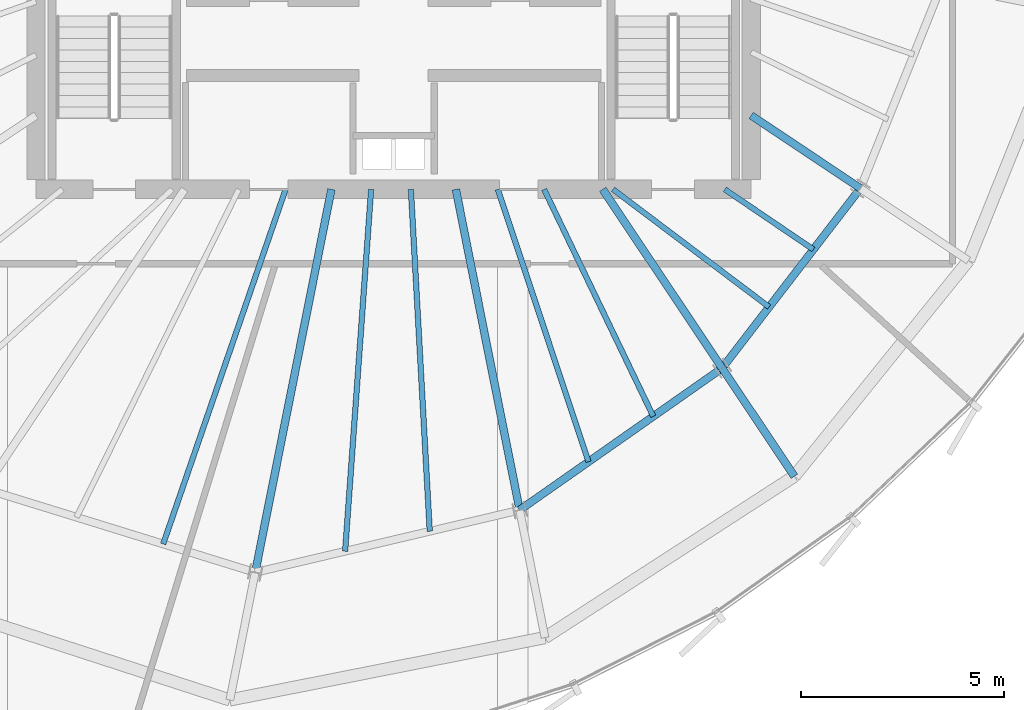
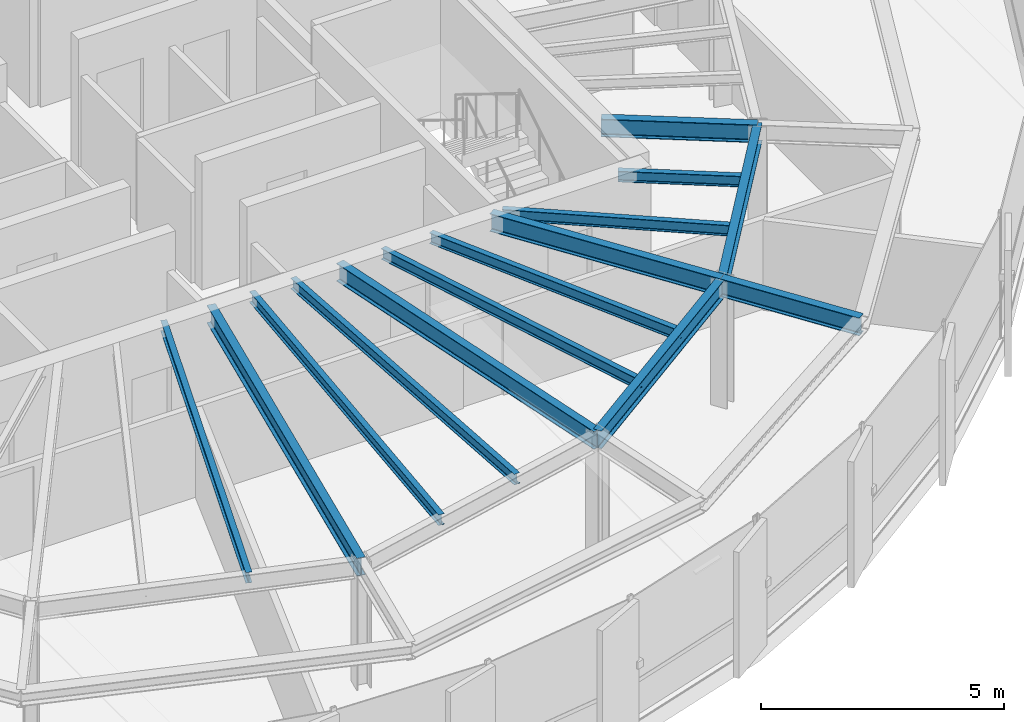
# One storey, part 8 of 36: 14 beams.
"""IFC4 building model written with IfcOpenShell, lengths in metres."""

from ifc_helpers import new_model, si_unit, direction, frame, origin, origin_2d, place, context, subcontext, project, spatial, i_section, extrude, source, transform, mapped, material, material_profile, profile_set, type_object, element, save


model = new_model("IFC4")

# Units and contexts
model_context = context("Model", 3, precision=1e-05, world=origin(), true_north=direction((0.0, 1.0)))
body_context = subcontext(model_context, "Body", "Model", "MODEL_VIEW")
ifc_project = project(units=[si_unit("LENGTHUNIT", "METRE"), si_unit("AREAUNIT", "SQUARE_METRE"), si_unit("VOLUMEUNIT", "CUBIC_METRE"), si_unit("PLANEANGLEUNIT", "RADIAN"), si_unit("MASSUNIT", "GRAM", prefix="KILO"), si_unit("THERMODYNAMICTEMPERATUREUNIT", "KELVIN")], contexts=[model_context])

# Site, building, storey
site_placement = place(None, origin())
site = spatial("IfcSite", under=ifc_project, at=site_placement, CompositionType="ELEMENT")
building_placement = place(site_placement, origin())
building = spatial("IfcBuilding", under=site, at=building_placement, Name="Kethvar Cultural Tower", CompositionType="ELEMENT")
storey_placement = place(building_placement, frame((0.0, 0.0, 228.39990234375)))
storey = spatial("IfcBuildingStorey", under=building, at=storey_placement, Name="L59", CompositionType="ELEMENT", Elevation=228.39990234375)

# Beams
ifc_material = material(Name="Steel S355J2", Category="steel")
ifc_material_profile_1 = material_profile(ifc_material, i_section(OverallWidth=0.18994140625, OverallDepth=0.449951171875, WebThickness=0.009521484375, FlangeThickness=0.0146484375, FilletRadius=0.02099609375, at=origin_2d()), Name="Steel S355J2 — IPE450")
ifc_profile_set_1 = profile_set([ifc_material_profile_1], Name="Steel S355J2 — IPE450")
beam_type_1 = type_object("IfcBeamType", Name="BM-IPE450", PredefinedType="BEAM", material=ifc_profile_set_1)
shared_shape_1 = source(origin(), body_context, "Body", "SweptSolid", [
    extrude(i_section(OverallWidth=0.18994140625, OverallDepth=0.449951171875, WebThickness=0.009521484375, FlangeThickness=0.0146484375, FilletRadius=0.02099609375, at=origin_2d()), origin(), (0.0, 0.0, 1.0), 3.199951171875),
])
beam_1_placement = place(storey_placement, frame((54.885009765625, 15.7001953125, 2.983154296875), z_axis=(0.555492222339, -0.83152173208, 0.0), x_axis=(0.83152173208, 0.555492222339, 0.0)))
element("IfcBeam", 1, at=beam_1_placement, inside=storey, type_object=beam_type_1, Name="L59 Perimeter Cantilever Beam RC-14", PredefinedType="BEAM", context=body_context, shape_type="MappedRepresentation", body=[
    mapped(shared_shape_1, transform((0.0, 0.0, 0.0), scale=1.0)),
])
shared_shape_2 = source(origin(), body_context, "Body", "SweptSolid", [
    extrude(i_section(OverallWidth=0.18994140625, OverallDepth=0.449951171875, WebThickness=0.009521484375, FlangeThickness=0.0146484375, FilletRadius=0.02099609375, at=origin_2d()), origin(), (0.0, 0.0, 1.0), 9.613525390625),
])
beam_2_placement = place(storey_placement, frame((45.268310546875, 20.10009765625, 2.983154296875), z_axis=(-0.195090428816, -0.980785259159, 0.0), x_axis=(0.980785259159, -0.195090428816, 0.0)))
element("IfcBeam", 2, at=beam_2_placement, inside=storey, type_object=beam_type_1, Name="L59 Primary Radial Beam RB-12", PredefinedType="BEAM", context=body_context, shape_type="MappedRepresentation", body=[
    mapped(shared_shape_2, transform((0.0, 0.0, 0.0), scale=1.0)),
])
shared_shape_3 = source(origin(), body_context, "Body", "SweptSolid", [
    extrude(i_section(OverallWidth=0.18994140625, OverallDepth=0.449951171875, WebThickness=0.009521484375, FlangeThickness=0.0146484375, FilletRadius=0.02099609375, at=origin_2d()), origin(), (0.0, 0.0, 1.0), 8.0478515625),
])
beam_3_placement = place(storey_placement, frame((48.33154296875, 20.10009765625, 2.983154296875), z_axis=(0.195089278796, -0.980785487912, 0.0), x_axis=(0.980785487912, 0.195089278796, 0.0)))
element("IfcBeam", 3, at=beam_3_placement, inside=storey, type_object=beam_type_1, Name="L59 Primary Radial Beam RB-13", PredefinedType="BEAM", context=body_context, shape_type="MappedRepresentation", body=[
    mapped(shared_shape_3, transform((0.0, 0.0, 0.0), scale=1.0)),
])
shared_shape_4 = source(origin(), body_context, "Body", "SweptSolid", [
    extrude(i_section(OverallWidth=0.18994140625, OverallDepth=0.449951171875, WebThickness=0.009521484375, FlangeThickness=0.0146484375, FilletRadius=0.02099609375, at=origin_2d()), origin(), (0.0, 0.0, 1.0), 5.291748046875),
])
beam_4_placement = place(storey_placement, frame((51.945068359375, 20.10009765625, 2.983154296875), z_axis=(0.555572931011, -0.831467809556, 0.0), x_axis=(0.831467809556, 0.555572931011, 0.0)))
element("IfcBeam", 4, at=beam_4_placement, inside=storey, type_object=beam_type_1, Name="L59 Primary Radial Beam RB-14", PredefinedType="BEAM", context=body_context, shape_type="MappedRepresentation", body=[
    mapped(shared_shape_4, transform((0.0, 0.0, 0.0), scale=1.0)),
])
shared_shape_5 = source(origin(), body_context, "Body", "SweptSolid", [
    extrude(i_section(OverallWidth=0.18994140625, OverallDepth=0.449951171875, WebThickness=0.009521484375, FlangeThickness=0.0146484375, FilletRadius=0.02099609375, at=origin_2d()), origin(), (0.0, 0.0, 1.0), 3.231689453125),
])
beam_5_placement = place(storey_placement, frame((55.60009765625, 21.919921875, 2.983154296875), z_axis=(0.831468708055, -0.55557158632, 0.0), x_axis=(0.55557158632, 0.831468708055, 0.0)))
element("IfcBeam", 5, at=beam_5_placement, inside=storey, type_object=beam_type_1, Name="L59 Primary Radial Beam RB-15", PredefinedType="BEAM", context=body_context, shape_type="MappedRepresentation", body=[
    mapped(shared_shape_5, transform((0.0, 0.0, 0.0), scale=1.0)),
])
ifc_material_profile_2 = material_profile(ifc_material, i_section(OverallWidth=0.135009765625, OverallDepth=0.27001953125, WebThickness=0.006591796875, FlangeThickness=0.01025390625, FilletRadius=0.014892578125, at=origin_2d()), Name="Steel S355J2 — IPE270")
ifc_profile_set_2 = profile_set([ifc_material_profile_2], Name="Steel S355J2 — IPE270")
beam_type_2 = type_object("IfcBeamType", Name="BM-J270", PredefinedType="JOIST", material=ifc_profile_set_2)
shared_shape_6 = source(origin(), body_context, "Body", "SweptSolid", [
    extrude(i_section(OverallWidth=0.135009765625, OverallDepth=0.27001953125, WebThickness=0.006591796875, FlangeThickness=0.01025390625, FilletRadius=0.014892578125, at=origin_2d()), origin(), (0.0, 0.0, 1.0), 9.234130859375),
])
beam_6_placement = place(storey_placement, frame((44.1416015625, 20.10009765625, 3.072998046875), z_axis=(-0.326362208058, -0.945244787953, 0.0), x_axis=(0.945244787953, -0.326362208058, 0.0)))
element("IfcBeam", 6, at=beam_6_placement, inside=storey, type_object=beam_type_2, Name="L59 Composite Floor Joist J-11B", PredefinedType="JOIST", context=body_context, shape_type="MappedRepresentation", body=[
    mapped(shared_shape_6, transform((0.0, 0.0, 0.0), scale=1.0)),
])
shared_shape_7 = source(origin(), body_context, "Body", "SweptSolid", [
    extrude(i_section(OverallWidth=0.135009765625, OverallDepth=0.27001953125, WebThickness=0.006591796875, FlangeThickness=0.01025390625, FilletRadius=0.014892578125, at=origin_2d()), origin(), (0.0, 0.0, 1.0), 8.9296875),
])
beam_7_placement = place(storey_placement, frame((46.246337890625, 20.10009765625, 3.072998046875), z_axis=(-0.071713352262, -0.99742528297, 0.0), x_axis=(0.99742528297, -0.071713352262, 0.0)))
element("IfcBeam", 7, at=beam_7_placement, inside=storey, type_object=beam_type_2, Name="L59 Composite Floor Joist J-12A", PredefinedType="JOIST", context=body_context, shape_type="MappedRepresentation", body=[
    mapped(shared_shape_7, transform((0.0, 0.0, 0.0), scale=1.0)),
])
shared_shape_8 = source(origin(), body_context, "Body", "SweptSolid", [
    extrude(i_section(OverallWidth=0.135009765625, OverallDepth=0.27001953125, WebThickness=0.006591796875, FlangeThickness=0.01025390625, FilletRadius=0.014892578125, at=origin_2d()), origin(), (0.0, 0.0, 1.0), 8.427978515625),
])
beam_8_placement = place(storey_placement, frame((47.224609375, 20.10009765625, 3.072998046875), z_axis=(0.055067321535, -0.998482643865, 0.0), x_axis=(0.998482643865, 0.055067321535, 0.0)))
element("IfcBeam", 8, at=beam_8_placement, inside=storey, type_object=beam_type_2, Name="L59 Composite Floor Joist J-12B", PredefinedType="JOIST", context=body_context, shape_type="MappedRepresentation", body=[
    mapped(shared_shape_8, transform((0.0, 0.0, 0.0), scale=1.0)),
])
shared_shape_9 = source(origin(), body_context, "Body", "SweptSolid", [
    extrude(i_section(OverallWidth=0.18994140625, OverallDepth=0.449951171875, WebThickness=0.009521484375, FlangeThickness=0.0146484375, FilletRadius=0.02099609375, at=origin_2d()), origin(), (0.0, 0.0, 1.0), 6.0859375),
])
beam_9_placement = place(storey_placement, frame((49.901611328125, 12.206787109375, 2.983154296875), z_axis=(0.818843498091, 0.57401683393, 0.0), x_axis=(-0.57401683393, 0.818843498091, 0.0)))
element("IfcBeam", 9, at=beam_9_placement, inside=storey, type_object=beam_type_1, Name="L59 Column Ring Tie Beam CR-13", PredefinedType="BEAM", context=body_context, shape_type="MappedRepresentation", body=[
    mapped(shared_shape_9, transform((0.0, 0.0, 0.0), scale=1.0)),
])
shared_shape_10 = source(origin(), body_context, "Body", "SweptSolid", [
    extrude(i_section(OverallWidth=0.135009765625, OverallDepth=0.27001953125, WebThickness=0.006591796875, FlangeThickness=0.01025390625, FilletRadius=0.014892578125, at=origin_2d()), origin(), (0.0, 0.0, 1.0), 7.0673828125),
])
beam_10_placement = place(storey_placement, frame((49.363525390625, 20.10009765625, 3.072998046875), z_axis=(0.315875389768, -0.948800684095, 0.0), x_axis=(0.948800684095, 0.315875389768, 0.0)))
element("IfcBeam", 10, at=beam_10_placement, inside=storey, type_object=beam_type_2, Name="L59 Composite Floor Joist J-13A", PredefinedType="JOIST", context=body_context, shape_type="MappedRepresentation", body=[
    mapped(shared_shape_10, transform((0.0, 0.0, 0.0), scale=1.0)),
])
shared_shape_11 = source(origin(), body_context, "Body", "SweptSolid", [
    extrude(i_section(OverallWidth=0.135009765625, OverallDepth=0.27001953125, WebThickness=0.006591796875, FlangeThickness=0.01025390625, FilletRadius=0.014892578125, at=origin_2d()), origin(), (0.0, 0.0, 1.0), 6.2001953125),
])
beam_11_placement = place(storey_placement, frame((50.50341796875, 20.10009765625, 3.072998046875), z_axis=(0.433410678328, -0.901196529017, 0.0), x_axis=(0.901196529017, 0.433410678328, 0.0)))
element("IfcBeam", 11, at=beam_11_placement, inside=storey, type_object=beam_type_2, Name="L59 Composite Floor Joist J-13B", PredefinedType="JOIST", context=body_context, shape_type="MappedRepresentation", body=[
    mapped(shared_shape_11, transform((0.0, 0.0, 0.0), scale=1.0)),
])
shared_shape_12 = source(origin(), body_context, "Body", "SweptSolid", [
    extrude(i_section(OverallWidth=0.18994140625, OverallDepth=0.449951171875, WebThickness=0.009521484375, FlangeThickness=0.0146484375, FilletRadius=0.02099609375, at=origin_2d()), origin(), (0.0, 0.0, 1.0), 5.5810546875),
])
beam_12_placement = place(storey_placement, frame((54.885009765625, 15.7001953125, 2.983154296875), z_axis=(0.60957334008, 0.79272967843, 0.0), x_axis=(-0.79272967843, 0.60957334008, 0.0)))
element("IfcBeam", 12, at=beam_12_placement, inside=storey, type_object=beam_type_1, Name="L59 Column Ring Tie Beam CR-14", PredefinedType="BEAM", context=body_context, shape_type="MappedRepresentation", body=[
    mapped(shared_shape_12, transform((0.0, 0.0, 0.0), scale=1.0)),
])
shared_shape_13 = source(origin(), body_context, "Body", "SweptSolid", [
    extrude(i_section(OverallWidth=0.135009765625, OverallDepth=0.27001953125, WebThickness=0.006591796875, FlangeThickness=0.01025390625, FilletRadius=0.014892578125, at=origin_2d()), origin(), (0.0, 0.0, 1.0), 4.810791015625),
])
beam_13_placement = place(storey_placement, frame((52.199951171875, 20.10009765625, 3.072998046875), z_axis=(0.798542152732, -0.601938892505, 0.0), x_axis=(0.601938892505, 0.798542152732, 0.0)))
element("IfcBeam", 13, at=beam_13_placement, inside=storey, type_object=beam_type_2, Name="L59 Composite Floor Joist J-14A", PredefinedType="JOIST", context=body_context, shape_type="MappedRepresentation", body=[
    mapped(shared_shape_13, transform((0.0, 0.0, 0.0), scale=1.0)),
])
shared_shape_14 = source(origin(), body_context, "Body", "SweptSolid", [
    extrude(i_section(OverallWidth=0.135009765625, OverallDepth=0.27001953125, WebThickness=0.006591796875, FlangeThickness=0.01025390625, FilletRadius=0.014892578125, at=origin_2d()), origin(), (0.0, 0.0, 1.0), 2.635009765625),
])
beam_14_placement = place(storey_placement, frame((54.949951171875, 20.10009765625, 3.072998046875), z_axis=(0.827446562598, -0.561544464887, 0.0), x_axis=(0.561544464887, 0.827446562598, 0.0)))
element("IfcBeam", 14, at=beam_14_placement, inside=storey, type_object=beam_type_2, Name="L59 Composite Floor Joist J-14B", PredefinedType="JOIST", context=body_context, shape_type="MappedRepresentation", body=[
    mapped(shared_shape_14, transform((0.0, 0.0, 0.0), scale=1.0)),
])

save(model, "model.ifc")
